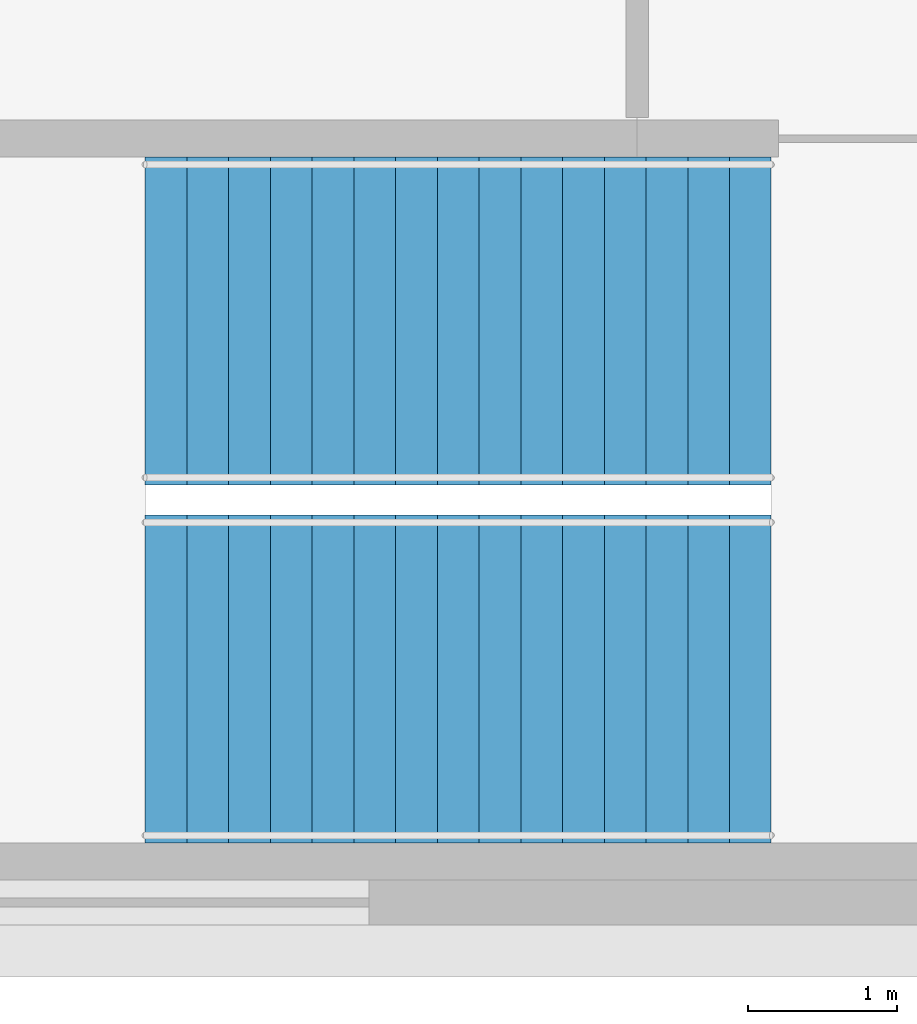
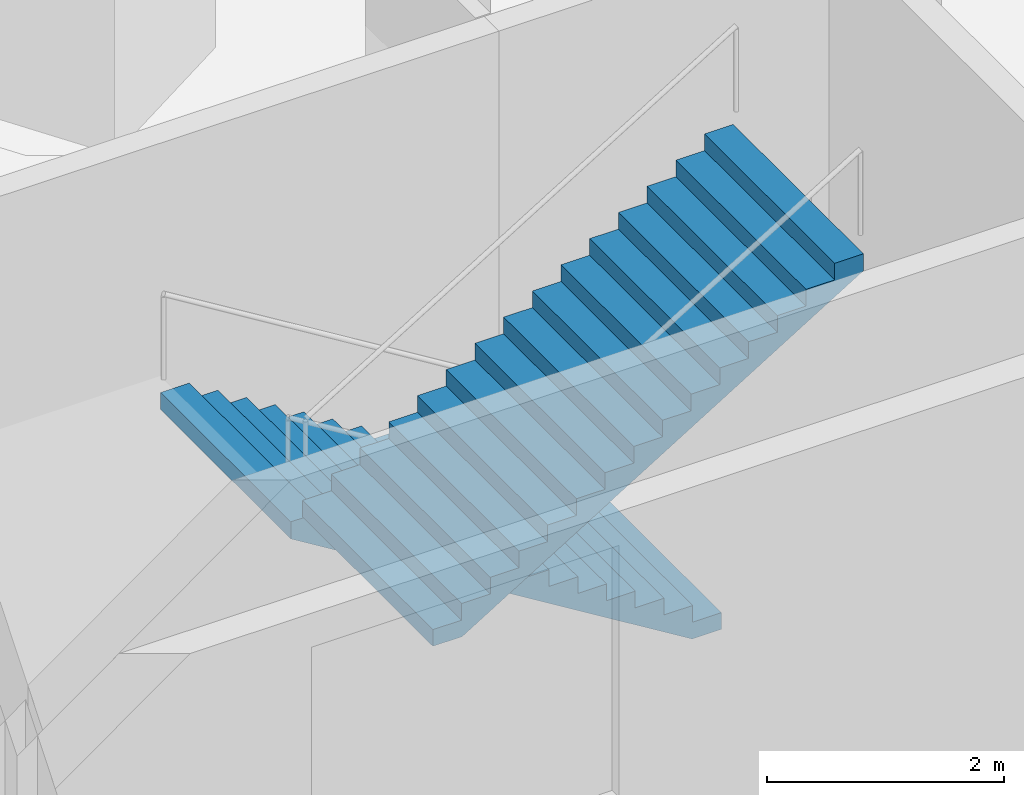
# One storey, part 11 of 16: 2 stair flights, 1 element without a shape of its own.
"""IFC4 building model written with IfcOpenShell, lengths in metres."""

from ifc_helpers import new_model, si_unit, direction, frame, origin, place, context, subcontext, project, spatial, triangles, source, transform, mapped, material, type_object, element, aggregate, save


model = new_model("IFC4")

# Units and contexts
model_context = context("Model", 3, precision=1e-05, world=origin(), true_north=direction((0.0, 1.0)))
body_context = subcontext(model_context, "Body", "Model", "MODEL_VIEW")
ifc_project = project(units=[si_unit("LENGTHUNIT", "METRE"), si_unit("AREAUNIT", "SQUARE_METRE"), si_unit("VOLUMEUNIT", "CUBIC_METRE"), si_unit("PLANEANGLEUNIT", "RADIAN"), si_unit("MASSUNIT", "GRAM", prefix="KILO")], contexts=[model_context])

# Site, building, storey
site_placement = place(None, origin())
site = spatial("IfcSite", under=ifc_project, at=site_placement, CompositionType="ELEMENT")
building_placement = place(site_placement, origin())
building = spatial("IfcBuilding", under=site, at=building_placement, Name="Vanh Sen Convention Tower", CompositionType="ELEMENT")
storey_placement = place(building_placement, frame((0.0, 0.0, 29.0)))
storey = spatial("IfcBuildingStorey", under=building, at=storey_placement, Name="L04", CompositionType="ELEMENT", Elevation=29.0)

# Stair, stair flights
ifc_material = material(Name="Concrete C40/50", Category="concrete")
stair_type = type_object("IfcStairType", Name="Podium exit stair 2200", PredefinedType="HALF_TURN_STAIR", material=ifc_material)
stair_placement = place(storey_placement, origin())
stair = element("IfcStair", 1, at=stair_placement, inside=storey, type_object=stair_type, Name="Exit stair PS6 L04", PredefinedType="HALF_TURN_STAIR")
stair_flight_type = type_object("IfcStairFlightType", Name="Podium exit stair flight 2200", PredefinedType="STRAIGHT", material=ifc_material)
shared_shape = source(origin(), body_context, "Body", "Tessellation", [
    triangles([(0.28662109375, 1.10009765625, 0.0), (0.0, 1.10009765625, 0.0), (0.0, 1.10009765625, 0.171875), (0.280029296875, 1.10009765625, 0.171875), (0.280029296875, 1.10009765625, 0.34375), (0.56005859375, 1.10009765625, 0.34375), (0.56005859375, 1.10009765625, 0.515625), (0.840087890625, 1.10009765625, 0.515625), (0.840087890625, 1.10009765625, 0.6875), (1.1201171875, 1.10009765625, 0.6875), (1.1201171875, 1.10009765625, 0.859375), (1.39990234375, 1.10009765625, 0.859375), (1.39990234375, 1.10009765625, 1.03125), (1.679931640625, 1.10009765625, 1.03125), (1.679931640625, 1.10009765625, 1.203125), (1.9599609375, 1.10009765625, 1.203125), (1.9599609375, 1.10009765625, 1.375), (2.239990234375, 1.10009765625, 1.375), (2.239990234375, 1.10009765625, 1.546875), (2.52001953125, 1.10009765625, 1.546875), (2.52001953125, 1.10009765625, 1.71875), (2.800048828125, 1.10009765625, 1.71875), (2.800048828125, 1.10009765625, 1.890625), (3.080078125, 1.10009765625, 1.890625), (3.080078125, 1.10009765625, 2.0625), (3.360107421875, 1.10009765625, 2.0625), (3.360107421875, 1.10009765625, 2.234375), (3.639892578125, 1.10009765625, 2.234375), (3.639892578125, 1.10009765625, 2.40625), (3.919921875, 1.10009765625, 2.40625), (3.919921875, 1.10009765625, 2.578125), (4.199951171875, 1.10009765625, 2.578125), (4.199951171875, 1.10009765625, 2.40234375), (0.28662109375, -1.10009765625, 0.0), (0.0, -1.10009765625, 0.0), (0.0, -1.10009765625, 0.171875), (0.280029296875, -1.10009765625, 0.171875), (0.280029296875, -1.10009765625, 0.34375), (0.56005859375, -1.10009765625, 0.34375), (0.56005859375, -1.10009765625, 0.515625), (0.840087890625, -1.10009765625, 0.515625), (0.840087890625, -1.10009765625, 0.6875), (1.1201171875, -1.10009765625, 0.6875), (1.1201171875, -1.10009765625, 0.859375), (1.39990234375, -1.10009765625, 0.859375), (1.39990234375, -1.10009765625, 1.03125), (1.679931640625, -1.10009765625, 1.03125), (1.679931640625, -1.10009765625, 1.203125), (1.9599609375, -1.10009765625, 1.203125), (1.9599609375, -1.10009765625, 1.375), (2.239990234375, -1.10009765625, 1.375), (2.239990234375, -1.10009765625, 1.546875), (2.52001953125, -1.10009765625, 1.546875), (2.52001953125, -1.10009765625, 1.71875), (2.800048828125, -1.10009765625, 1.71875), (2.800048828125, -1.10009765625, 1.890625), (3.080078125, -1.10009765625, 1.890625), (3.080078125, -1.10009765625, 2.0625), (3.360107421875, -1.10009765625, 2.0625), (3.360107421875, -1.10009765625, 2.234375), (3.639892578125, -1.10009765625, 2.234375), (3.639892578125, -1.10009765625, 2.40625), (3.919921875, -1.10009765625, 2.40625), (3.919921875, -1.10009765625, 2.578125), (4.199951171875, -1.10009765625, 2.578125), (4.199951171875, -1.10009765625, 2.40234375), (0.0, 0.0439453125, 0.0), (0.0, 0.04296875, 0.0), (0.0, 0.0419921875, 0.0), (0.0, 0.04052734375, 0.0), (0.0, 0.03955078125, 0.0), (0.0, 0.03857421875, 0.0), (0.0, 0.03759765625, 0.0), (0.0, 0.0361328125, 0.0), (0.0, 0.03515625, 0.0), (0.0, 0.0341796875, 0.0), (0.0, 0.033203125, 0.0), (0.0, 0.03173828125, 0.0), (0.0, 0.03076171875, 0.0), (0.0, 0.02978515625, 0.0), (0.0, 0.02880859375, 0.0), (0.0, 0.02734375, 0.0), (0.0, 0.0263671875, 0.0), (0.0, 0.025390625, 0.0), (0.0, 0.0244140625, 0.0), (0.0, 0.02294921875, 0.0), (0.0, 0.02197265625, 0.0), (0.0, 0.02099609375, 0.0), (0.0, 0.02001953125, 0.0), (0.0, 0.0185546875, 0.0), (0.0, 0.017578125, 0.0), (0.0, 0.0166015625, 0.0), (0.0, 0.015625, 0.0), (0.0, 0.01416015625, 0.0), (0.0, 0.01318359375, 0.0), (0.0, 0.01220703125, 0.0), (0.0, 0.01123046875, 0.0), (0.0, 0.009765625, 0.0), (0.0, 0.0087890625, 0.0), (0.0, 0.0078125, 0.0), (0.0, 0.0068359375, 0.0), (0.0, 0.00537109375, 0.0), (0.0, 0.00439453125, 0.0), (0.0, 0.00341796875, 0.0), (0.0, 0.00244140625, 0.0), (0.0, 0.0009765625, 0.0), (0.0, 0.0, 0.0), (0.0, -0.0009765625, 0.0), (0.0, -0.00244140625, 0.0), (0.0, -0.00341796875, 0.0), (0.0, -0.00439453125, 0.0), (0.0, -0.00537109375, 0.0), (0.0, -0.0068359375, 0.0), (0.0, -0.0078125, 0.0), (0.0, -0.0087890625, 0.0), (0.0, -0.009765625, 0.0), (0.0, -0.01123046875, 0.0), (0.0, -0.01220703125, 0.0), (0.0, -0.01318359375, 0.0), (0.0, -0.01416015625, 0.0), (0.0, -0.015625, 0.0), (0.0, -0.0166015625, 0.0), (0.0, -0.017578125, 0.0), (0.0, -0.0185546875, 0.0), (0.0, -0.02001953125, 0.0), (0.0, -0.02099609375, 0.0), (0.0, -0.02197265625, 0.0), (0.0, -0.02294921875, 0.0), (0.0, -0.0244140625, 0.0), (0.0, -0.025390625, 0.0), (0.0, -0.0263671875, 0.0), (0.0, -0.02734375, 0.0), (0.0, -0.02880859375, 0.0), (0.0, -0.02978515625, 0.0), (0.0, -0.03076171875, 0.0), (0.0, -0.03173828125, 0.0), (0.0, -0.033203125, 0.0), (0.0, -0.0341796875, 0.0), (0.0, -0.03515625, 0.0), (0.0, -0.0361328125, 0.0), (0.0, -0.03759765625, 0.0), (0.0, -0.03857421875, 0.0), (0.0, -0.03955078125, 0.0), (0.0, -0.04052734375, 0.0), (0.0, -0.0419921875, 0.0), (0.0, -0.04296875, 0.0), (0.0, -0.0439453125, 0.0), (0.0, 0.0439453125, 0.171875), (0.0, 0.04296875, 0.171875), (0.0, 0.0419921875, 0.171875), (0.0, 0.04052734375, 0.171875), (0.0, 0.03955078125, 0.171875), (0.0, 0.03857421875, 0.171875), (0.0, 0.03759765625, 0.171875), (0.0, 0.0361328125, 0.171875), (0.0, 0.03515625, 0.171875), (0.0, 0.0341796875, 0.171875), (0.0, 0.033203125, 0.171875), (0.0, 0.03173828125, 0.171875), (0.0, 0.03076171875, 0.171875), (0.0, 0.02978515625, 0.171875), (0.0, 0.02880859375, 0.171875), (0.0, 0.02734375, 0.171875), (0.0, 0.0263671875, 0.171875), (0.0, 0.025390625, 0.171875), (0.0, 0.0244140625, 0.171875), (0.0, 0.02294921875, 0.171875), (0.0, 0.02197265625, 0.171875), (0.0, 0.02099609375, 0.171875), (0.0, 0.02001953125, 0.171875), (0.0, 0.0185546875, 0.171875), (0.0, 0.017578125, 0.171875), (0.0, 0.0166015625, 0.171875), (0.0, 0.015625, 0.171875), (0.0, 0.01416015625, 0.171875), (0.0, 0.01318359375, 0.171875), (0.0, 0.01220703125, 0.171875), (0.0, 0.01123046875, 0.171875), (0.0, 0.009765625, 0.171875), (0.0, 0.0087890625, 0.171875), (0.0, 0.0078125, 0.171875), (0.0, 0.0068359375, 0.171875), (0.0, 0.00537109375, 0.171875), (0.0, 0.00439453125, 0.171875), (0.0, 0.00341796875, 0.171875), (0.0, 0.00244140625, 0.171875), (0.0, 0.0009765625, 0.171875), (0.0, 0.0, 0.171875), (0.0, -0.0009765625, 0.171875), (0.0, -0.00244140625, 0.171875), (0.0, -0.00341796875, 0.171875), (0.0, -0.00439453125, 0.171875), (0.0, -0.00537109375, 0.171875), (0.0, -0.0068359375, 0.171875), (0.0, -0.0078125, 0.171875), (0.0, -0.0087890625, 0.171875), (0.0, -0.009765625, 0.171875), (0.0, -0.01123046875, 0.171875), (0.0, -0.01220703125, 0.171875), (0.0, -0.01318359375, 0.171875), (0.0, -0.01416015625, 0.171875), (0.0, -0.015625, 0.171875), (0.0, -0.0166015625, 0.171875), (0.0, -0.017578125, 0.171875), (0.0, -0.0185546875, 0.171875), (0.0, -0.02001953125, 0.171875), (0.0, -0.02099609375, 0.171875), (0.0, -0.02197265625, 0.171875), (0.0, -0.02294921875, 0.171875), (0.0, -0.0244140625, 0.171875), (0.0, -0.025390625, 0.171875), (0.0, -0.0263671875, 0.171875), (0.0, -0.02734375, 0.171875), (0.0, -0.02880859375, 0.171875), (0.0, -0.02978515625, 0.171875), (0.0, -0.03076171875, 0.171875), (0.0, -0.03173828125, 0.171875), (0.0, -0.033203125, 0.171875), (0.0, -0.0341796875, 0.171875), (0.0, -0.03515625, 0.171875), (0.0, -0.0361328125, 0.171875), (0.0, -0.03759765625, 0.171875), (0.0, -0.03857421875, 0.171875), (0.0, -0.03955078125, 0.171875), (0.0, -0.04052734375, 0.171875), (0.0, -0.0419921875, 0.171875), (0.0, -0.04296875, 0.171875), (0.0, -0.0439453125, 0.171875), (0.280029296875, 0.0, 0.171875), (0.280029296875, 0.0, 0.34375), (0.56005859375, 0.0, 0.34375), (0.56005859375, 0.0, 0.515625), (0.840087890625, 0.0, 0.515625), (0.840087890625, 0.0, 0.6875), (1.1201171875, 0.0, 0.6875), (1.1201171875, 0.0, 0.859375), (1.39990234375, 0.0, 0.859375), (1.39990234375, 0.0, 1.03125), (1.679931640625, 0.0, 1.03125), (1.679931640625, 0.0, 1.203125), (1.9599609375, 0.0, 1.203125), (1.9599609375, 0.0, 1.375), (2.239990234375, 0.0, 1.375), (2.239990234375, 0.0, 1.546875), (2.52001953125, 0.0, 1.546875), (2.52001953125, 0.0, 1.71875), (2.800048828125, 0.0, 1.71875), (2.800048828125, 0.0, 1.890625), (3.080078125, 0.0, 1.890625), (3.080078125, 0.0, 2.0625), (3.360107421875, 0.0, 2.0625), (3.360107421875, 0.0, 2.234375), (3.639892578125, 0.0, 2.234375), (3.639892578125, 0.0, 2.40625), (3.919921875, 0.0, 2.40625), (3.919921875, 0.0, 2.578125), (4.199951171875, 0.0439453125, 2.578125), (4.199951171875, 0.04296875, 2.578125), (4.199951171875, 0.0419921875, 2.578125), (4.199951171875, 0.04052734375, 2.578125), (4.199951171875, 0.03955078125, 2.578125), (4.199951171875, 0.03857421875, 2.578125), (4.199951171875, 0.03759765625, 2.578125), (4.199951171875, 0.0361328125, 2.578125), (4.199951171875, 0.03515625, 2.578125), (4.199951171875, 0.0341796875, 2.578125), (4.199951171875, 0.033203125, 2.578125), (4.199951171875, 0.03173828125, 2.578125), (4.199951171875, 0.03076171875, 2.578125), (4.199951171875, 0.02978515625, 2.578125), (4.199951171875, 0.02880859375, 2.578125), (4.199951171875, 0.02734375, 2.578125), (4.199951171875, 0.0263671875, 2.578125), (4.199951171875, 0.025390625, 2.578125), (4.199951171875, 0.0244140625, 2.578125), (4.199951171875, 0.02294921875, 2.578125), (4.199951171875, 0.02197265625, 2.578125), (4.199951171875, 0.02099609375, 2.578125), (4.199951171875, 0.02001953125, 2.578125), (4.199951171875, 0.0185546875, 2.578125), (4.199951171875, 0.017578125, 2.578125), (4.199951171875, 0.0166015625, 2.578125), (4.199951171875, 0.015625, 2.578125), (4.199951171875, 0.01416015625, 2.578125), (4.199951171875, 0.01318359375, 2.578125), (4.199951171875, 0.01220703125, 2.578125), (4.199951171875, 0.01123046875, 2.578125), (4.199951171875, 0.009765625, 2.578125), (4.199951171875, 0.0087890625, 2.578125), (4.199951171875, 0.0078125, 2.578125), (4.199951171875, 0.0068359375, 2.578125), (4.199951171875, 0.00537109375, 2.578125), (4.199951171875, 0.00439453125, 2.578125), (4.199951171875, 0.00341796875, 2.578125), (4.199951171875, 0.00244140625, 2.578125), (4.199951171875, 0.0009765625, 2.578125), (4.199951171875, 0.0, 2.578125), (4.199951171875, -0.0009765625, 2.578125), (4.199951171875, -0.00244140625, 2.578125), (4.199951171875, -0.00341796875, 2.578125), (4.199951171875, -0.00439453125, 2.578125), (4.199951171875, -0.00537109375, 2.578125), (4.199951171875, -0.0068359375, 2.578125), (4.199951171875, -0.0078125, 2.578125), (4.199951171875, -0.0087890625, 2.578125), (4.199951171875, -0.009765625, 2.578125), (4.199951171875, -0.01123046875, 2.578125), (4.199951171875, -0.01220703125, 2.578125), (4.199951171875, -0.01318359375, 2.578125), (4.199951171875, -0.01416015625, 2.578125), (4.199951171875, -0.015625, 2.578125), (4.199951171875, -0.0166015625, 2.578125), (4.199951171875, -0.017578125, 2.578125), (4.199951171875, -0.0185546875, 2.578125), (4.199951171875, -0.02001953125, 2.578125), (4.199951171875, -0.02099609375, 2.578125), (4.199951171875, -0.02197265625, 2.578125), (4.199951171875, -0.02294921875, 2.578125), (4.199951171875, -0.0244140625, 2.578125), (4.199951171875, -0.025390625, 2.578125), (4.199951171875, -0.0263671875, 2.578125), (4.199951171875, -0.02734375, 2.578125), (4.199951171875, -0.02880859375, 2.578125), (4.199951171875, -0.02978515625, 2.578125), (4.199951171875, -0.03076171875, 2.578125), (4.199951171875, -0.03173828125, 2.578125), (4.199951171875, -0.033203125, 2.578125), (4.199951171875, -0.0341796875, 2.578125), (4.199951171875, -0.03515625, 2.578125), (4.199951171875, -0.0361328125, 2.578125), (4.199951171875, -0.03759765625, 2.578125), (4.199951171875, -0.03857421875, 2.578125), (4.199951171875, -0.03955078125, 2.578125), (4.199951171875, -0.04052734375, 2.578125), (4.199951171875, -0.0419921875, 2.578125), (4.199951171875, -0.04296875, 2.578125), (4.199951171875, -0.0439453125, 2.578125), (4.199951171875, 0.0439453125, 2.40234375), (4.199951171875, 0.04296875, 2.40234375), (4.199951171875, 0.0419921875, 2.40234375), (4.199951171875, 0.04052734375, 2.40234375), (4.199951171875, 0.03955078125, 2.40234375), (4.199951171875, 0.03857421875, 2.40234375), (4.199951171875, 0.03759765625, 2.40234375), (4.199951171875, 0.0361328125, 2.40234375), (4.199951171875, 0.03515625, 2.40234375), (4.199951171875, 0.0341796875, 2.40234375), (4.199951171875, 0.033203125, 2.40234375), (4.199951171875, 0.03173828125, 2.40234375), (4.199951171875, 0.03076171875, 2.40234375), (4.199951171875, 0.02978515625, 2.40234375), (4.199951171875, 0.02880859375, 2.40234375), (4.199951171875, 0.02734375, 2.40234375), (4.199951171875, 0.0263671875, 2.40234375), (4.199951171875, 0.025390625, 2.40234375), (4.199951171875, 0.0244140625, 2.40234375), (4.199951171875, 0.02294921875, 2.40234375), (4.199951171875, 0.02197265625, 2.40234375), (4.199951171875, 0.02099609375, 2.40234375), (4.199951171875, 0.02001953125, 2.40234375), (4.199951171875, 0.0185546875, 2.40234375), (4.199951171875, 0.017578125, 2.40234375), (4.199951171875, 0.0166015625, 2.40234375), (4.199951171875, 0.015625, 2.40234375), (4.199951171875, 0.01416015625, 2.40234375), (4.199951171875, 0.01318359375, 2.40234375), (4.199951171875, 0.01220703125, 2.40234375), (4.199951171875, 0.01123046875, 2.40234375), (4.199951171875, 0.009765625, 2.40234375), (4.199951171875, 0.0087890625, 2.40234375), (4.199951171875, 0.0078125, 2.40234375), (4.199951171875, 0.0068359375, 2.40234375), (4.199951171875, 0.00537109375, 2.40234375), (4.199951171875, 0.00439453125, 2.40234375), (4.199951171875, 0.00341796875, 2.40234375), (4.199951171875, 0.00244140625, 2.40234375), (4.199951171875, 0.0009765625, 2.40234375), (4.199951171875, 0.0, 2.40234375), (4.199951171875, -0.0009765625, 2.40234375), (4.199951171875, -0.00244140625, 2.40234375), (4.199951171875, -0.00341796875, 2.40234375), (4.199951171875, -0.00439453125, 2.40234375), (4.199951171875, -0.00537109375, 2.40234375), (4.199951171875, -0.0068359375, 2.40234375), (4.199951171875, -0.0078125, 2.40234375), (4.199951171875, -0.0087890625, 2.40234375), (4.199951171875, -0.009765625, 2.40234375), (4.199951171875, -0.01123046875, 2.40234375), (4.199951171875, -0.01220703125, 2.40234375), (4.199951171875, -0.01318359375, 2.40234375), (4.199951171875, -0.01416015625, 2.40234375), (4.199951171875, -0.015625, 2.40234375), (4.199951171875, -0.0166015625, 2.40234375), (4.199951171875, -0.017578125, 2.40234375), (4.199951171875, -0.0185546875, 2.40234375), (4.199951171875, -0.02001953125, 2.40234375), (4.199951171875, -0.02099609375, 2.40234375), (4.199951171875, -0.02197265625, 2.40234375), (4.199951171875, -0.02294921875, 2.40234375), (4.199951171875, -0.0244140625, 2.40234375), (4.199951171875, -0.025390625, 2.40234375), (4.199951171875, -0.0263671875, 2.40234375), (4.199951171875, -0.02734375, 2.40234375), (4.199951171875, -0.02880859375, 2.40234375), (4.199951171875, -0.02978515625, 2.40234375), (4.199951171875, -0.03076171875, 2.40234375), (4.199951171875, -0.03173828125, 2.40234375), (4.199951171875, -0.033203125, 2.40234375), (4.199951171875, -0.0341796875, 2.40234375), (4.199951171875, -0.03515625, 2.40234375), (4.199951171875, -0.0361328125, 2.40234375), (4.199951171875, -0.03759765625, 2.40234375), (4.199951171875, -0.03857421875, 2.40234375), (4.199951171875, -0.03955078125, 2.40234375), (4.199951171875, -0.04052734375, 2.40234375), (4.199951171875, -0.0419921875, 2.40234375), (4.199951171875, -0.04296875, 2.40234375), (4.199951171875, -0.0439453125, 2.40234375), (0.28662109375, 0.0, 0.0)], [[1, 2, 3], [1, 3, 4], [1, 4, 5], [1, 5, 6], [6, 7, 8], [1, 6, 8], [8, 9, 10], [1, 8, 10], [10, 11, 12], [1, 10, 12], [12, 13, 14], [1, 12, 14], [14, 15, 16], [1, 14, 16], [16, 17, 18], [1, 16, 18], [18, 19, 20], [1, 18, 20], [20, 21, 22], [1, 20, 22], [22, 23, 24], [1, 22, 24], [24, 25, 26], [1, 24, 26], [26, 27, 28], [1, 26, 28], [28, 29, 30], [1, 28, 30], [30, 31, 32], [1, 30, 32], [32, 33, 1], [34, 36, 35], [34, 37, 36], [34, 38, 37], [34, 39, 38], [39, 41, 40], [34, 41, 39], [41, 43, 42], [34, 43, 41], [43, 45, 44], [34, 45, 43], [45, 47, 46], [34, 47, 45], [47, 49, 48], [34, 49, 47], [49, 51, 50], [34, 51, 49], [51, 53, 52], [34, 53, 51], [53, 55, 54], [34, 55, 53], [55, 57, 56], [34, 57, 55], [57, 59, 58], [34, 59, 57], [59, 61, 60], [34, 61, 59], [61, 63, 62], [34, 63, 61], [63, 65, 64], [34, 65, 63], [65, 34, 66], [2, 148, 3], [2, 67, 148], [67, 149, 148], [67, 68, 149], [68, 150, 149], [68, 69, 150], [69, 151, 150], [69, 70, 151], [70, 152, 151], [70, 71, 152], [71, 153, 152], [71, 72, 153], [72, 154, 153], [72, 73, 154], [73, 155, 154], [73, 74, 155], [74, 156, 155], [74, 75, 156], [75, 157, 156], [75, 76, 157], [76, 158, 157], [76, 77, 158], [77, 159, 158], [77, 78, 159], [78, 160, 159], [78, 79, 160], [79, 161, 160], [79, 80, 161], [80, 162, 161], [80, 81, 162], [81, 163, 162], [81, 82, 163], [82, 164, 163], [82, 83, 164], [83, 165, 164], [83, 84, 165], [84, 166, 165], [84, 85, 166], [85, 167, 166], [85, 86, 167], [86, 168, 167], [86, 87, 168], [87, 169, 168], [87, 88, 169], [88, 170, 169], [88, 89, 170], [89, 171, 170], [89, 90, 171], [90, 172, 171], [90, 91, 172], [91, 173, 172], [91, 92, 173], [92, 174, 173], [92, 93, 174], [93, 175, 174], [93, 94, 175], [94, 176, 175], [94, 95, 176], [95, 177, 176], [95, 96, 177], [96, 178, 177], [96, 97, 178], [97, 179, 178], [97, 98, 179], [98, 180, 179], [98, 99, 180], [99, 181, 180], [99, 100, 181], [100, 182, 181], [100, 101, 182], [101, 183, 182], [101, 102, 183], [102, 184, 183], [102, 103, 184], [103, 185, 184], [103, 104, 185], [104, 186, 185], [104, 105, 186], [105, 187, 186], [105, 106, 187], [106, 188, 187], [106, 107, 188], [107, 108, 188], [188, 108, 189], [108, 109, 189], [189, 109, 190], [109, 110, 190], [190, 110, 191], [110, 111, 191], [191, 111, 192], [111, 112, 192], [192, 112, 193], [112, 113, 193], [193, 113, 194], [113, 114, 194], [194, 114, 195], [114, 115, 195], [195, 115, 196], [115, 116, 196], [196, 116, 197], [116, 117, 197], [197, 117, 198], [117, 118, 198], [198, 118, 199], [118, 119, 199], [199, 119, 200], [119, 120, 200], [200, 120, 201], [120, 121, 201], [201, 121, 202], [121, 122, 202], [202, 122, 203], [122, 123, 203], [203, 123, 204], [123, 124, 204], [204, 124, 205], [124, 125, 205], [205, 125, 206], [125, 126, 206], [206, 126, 207], [126, 127, 207], [207, 127, 208], [127, 128, 208], [208, 128, 209], [128, 129, 209], [209, 129, 210], [129, 130, 210], [210, 130, 211], [130, 131, 211], [211, 131, 212], [131, 132, 212], [212, 132, 213], [132, 133, 213], [213, 133, 214], [133, 134, 214], [214, 134, 215], [134, 135, 215], [215, 135, 216], [135, 136, 216], [216, 136, 217], [136, 137, 217], [217, 137, 218], [137, 138, 218], [218, 138, 219], [138, 139, 219], [219, 139, 220], [139, 140, 220], [220, 140, 221], [140, 141, 221], [221, 141, 222], [141, 142, 222], [222, 142, 223], [142, 143, 223], [223, 143, 224], [143, 144, 224], [224, 144, 225], [144, 145, 225], [225, 145, 226], [145, 146, 226], [226, 146, 227], [146, 147, 227], [227, 147, 228], [147, 35, 228], [228, 35, 36], [4, 3, 148], [4, 148, 149], [4, 149, 150], [4, 150, 151], [4, 151, 152], [4, 152, 153], [4, 153, 154], [4, 154, 155], [4, 155, 156], [4, 156, 157], [4, 157, 158], [4, 158, 159], [4, 159, 160], [4, 160, 161], [4, 161, 162], [4, 162, 163], [4, 163, 164], [4, 164, 165], [4, 165, 166], [4, 166, 167], [4, 167, 168], [4, 168, 169], [4, 169, 170], [4, 170, 171], [4, 171, 172], [4, 172, 173], [4, 173, 174], [4, 174, 175], [4, 175, 176], [4, 176, 177], [4, 177, 178], [4, 178, 179], [4, 179, 180], [4, 180, 181], [4, 181, 182], [4, 182, 183], [4, 183, 184], [4, 184, 185], [4, 185, 186], [4, 186, 187], [4, 187, 188], [37, 188, 189], [37, 189, 190], [37, 190, 191], [37, 191, 192], [37, 192, 193], [37, 193, 194], [37, 194, 195], [37, 195, 196], [37, 196, 197], [37, 197, 198], [37, 198, 199], [37, 199, 200], [37, 200, 201], [37, 201, 202], [37, 202, 203], [37, 203, 204], [37, 204, 205], [37, 205, 206], [37, 206, 207], [37, 207, 208], [37, 208, 209], [37, 209, 210], [37, 210, 211], [37, 211, 212], [37, 212, 213], [37, 213, 214], [37, 214, 215], [37, 215, 216], [37, 216, 217], [37, 217, 218], [37, 218, 219], [37, 219, 220], [37, 220, 221], [37, 221, 222], [37, 222, 223], [37, 223, 224], [37, 224, 225], [37, 225, 226], [37, 226, 227], [37, 227, 228], [37, 228, 36], [4, 188, 229], [37, 229, 188], [4, 230, 5], [4, 229, 230], [229, 37, 230], [230, 37, 38], [5, 231, 6], [5, 230, 231], [230, 38, 231], [231, 38, 39], [6, 232, 7], [6, 231, 232], [231, 39, 232], [232, 39, 40], [7, 233, 8], [7, 232, 233], [232, 40, 233], [233, 40, 41], [8, 234, 9], [8, 233, 234], [233, 41, 234], [234, 41, 42], [9, 235, 10], [9, 234, 235], [234, 42, 235], [235, 42, 43], [10, 236, 11], [10, 235, 236], [235, 43, 236], [236, 43, 44], [11, 237, 12], [11, 236, 237], [236, 44, 237], [237, 44, 45], [12, 238, 13], [12, 237, 238], [237, 45, 238], [238, 45, 46], [13, 239, 14], [13, 238, 239], [238, 46, 239], [239, 46, 47], [14, 240, 15], [14, 239, 240], [239, 47, 240], [240, 47, 48], [15, 241, 16], [15, 240, 241], [240, 48, 241], [241, 48, 49], [16, 242, 17], [16, 241, 242], [241, 49, 242], [242, 49, 50], [17, 243, 18], [17, 242, 243], [242, 50, 243], [243, 50, 51], [18, 244, 19], [18, 243, 244], [243, 51, 244], [244, 51, 52], [19, 245, 20], [19, 244, 245], [244, 52, 245], [245, 52, 53], [20, 246, 21], [20, 245, 246], [245, 53, 246], [246, 53, 54], [21, 247, 22], [21, 246, 247], [246, 54, 247], [247, 54, 55], [22, 248, 23], [22, 247, 248], [247, 55, 248], [248, 55, 56], [23, 249, 24], [23, 248, 249], [248, 56, 249], [249, 56, 57], [24, 250, 25], [24, 249, 250], [249, 57, 250], [250, 57, 58], [25, 251, 26], [25, 250, 251], [250, 58, 251], [251, 58, 59], [26, 252, 27], [26, 251, 252], [251, 59, 252], [252, 59, 60], [27, 253, 28], [27, 252, 253], [252, 60, 253], [253, 60, 61], [28, 254, 29], [28, 253, 254], [253, 61, 254], [254, 61, 62], [29, 255, 30], [29, 254, 255], [254, 62, 255], [255, 62, 63], [30, 256, 31], [30, 255, 256], [255, 63, 256], [256, 63, 64], [31, 257, 32], [31, 258, 257], [31, 259, 258], [31, 260, 259], [31, 261, 260], [31, 262, 261], [31, 263, 262], [31, 264, 263], [31, 265, 264], [31, 266, 265], [31, 267, 266], [31, 268, 267], [31, 269, 268], [31, 270, 269], [31, 271, 270], [31, 272, 271], [31, 273, 272], [31, 274, 273], [31, 275, 274], [31, 276, 275], [31, 277, 276], [31, 278, 277], [31, 279, 278], [31, 280, 279], [31, 281, 280], [31, 282, 281], [31, 283, 282], [31, 284, 283], [31, 285, 284], [31, 286, 285], [31, 287, 286], [31, 288, 287], [31, 289, 288], [31, 290, 289], [31, 291, 290], [31, 292, 291], [31, 293, 292], [31, 294, 293], [31, 295, 294], [31, 296, 295], [31, 297, 296], [64, 298, 297], [64, 299, 298], [64, 300, 299], [64, 301, 300], [64, 302, 301], [64, 303, 302], [64, 304, 303], [64, 305, 304], [64, 306, 305], [64, 307, 306], [64, 308, 307], [64, 309, 308], [64, 310, 309], [64, 311, 310], [64, 312, 311], [64, 313, 312], [64, 314, 313], [64, 315, 314], [64, 316, 315], [64, 317, 316], [64, 318, 317], [64, 319, 318], [64, 320, 319], [64, 321, 320], [64, 322, 321], [64, 323, 322], [64, 324, 323], [64, 325, 324], [64, 326, 325], [64, 327, 326], [64, 328, 327], [64, 329, 328], [64, 330, 329], [64, 331, 330], [64, 332, 331], [64, 333, 332], [64, 334, 333], [64, 335, 334], [64, 336, 335], [64, 337, 336], [64, 65, 337], [31, 256, 297], [64, 297, 256], [32, 338, 33], [32, 257, 338], [257, 339, 338], [257, 258, 339], [258, 340, 339], [258, 259, 340], [259, 341, 340], [259, 260, 341], [260, 342, 341], [260, 261, 342], [261, 343, 342], [261, 262, 343], [262, 344, 343], [262, 263, 344], [263, 345, 344], [263, 264, 345], [264, 346, 345], [264, 265, 346], [265, 347, 346], [265, 266, 347], [266, 348, 347], [266, 267, 348], [267, 349, 348], [267, 268, 349], [268, 350, 349], [268, 269, 350], [269, 351, 350], [269, 270, 351], [270, 352, 351], [270, 271, 352], [271, 353, 352], [271, 272, 353], [272, 354, 353], [272, 273, 354], [273, 355, 354], [273, 274, 355], [274, 356, 355], [274, 275, 356], [275, 357, 356], [275, 276, 357], [276, 358, 357], [276, 277, 358], [277, 359, 358], [277, 278, 359], [278, 360, 359], [278, 279, 360], [279, 361, 360], [279, 280, 361], [280, 362, 361], [280, 281, 362], [281, 363, 362], [281, 282, 363], [282, 364, 363], [282, 283, 364], [283, 365, 364], [283, 284, 365], [284, 366, 365], [284, 285, 366], [285, 367, 366], [285, 286, 367], [286, 368, 367], [286, 287, 368], [287, 369, 368], [287, 288, 369], [288, 370, 369], [288, 289, 370], [289, 371, 370], [289, 290, 371], [290, 372, 371], [290, 291, 372], [291, 373, 372], [291, 292, 373], [292, 374, 373], [292, 293, 374], [293, 375, 374], [293, 294, 375], [294, 376, 375], [294, 295, 376], [295, 377, 376], [295, 296, 377], [296, 378, 377], [296, 297, 378], [297, 298, 378], [378, 298, 379], [298, 299, 379], [379, 299, 380], [299, 300, 380], [380, 300, 381], [300, 301, 381], [381, 301, 382], [301, 302, 382], [382, 302, 383], [302, 303, 383], [383, 303, 384], [303, 304, 384], [384, 304, 385], [304, 305, 385], [385, 305, 386], [305, 306, 386], [386, 306, 387], [306, 307, 387], [387, 307, 388], [307, 308, 388], [388, 308, 389], [308, 309, 389], [389, 309, 390], [309, 310, 390], [390, 310, 391], [310, 311, 391], [391, 311, 392], [311, 312, 392], [392, 312, 393], [312, 313, 393], [393, 313, 394], [313, 314, 394], [394, 314, 395], [314, 315, 395], [395, 315, 396], [315, 316, 396], [396, 316, 397], [316, 317, 397], [397, 317, 398], [317, 318, 398], [398, 318, 399], [318, 319, 399], [399, 319, 400], [319, 320, 400], [400, 320, 401], [320, 321, 401], [401, 321, 402], [321, 322, 402], [402, 322, 403], [322, 323, 403], [403, 323, 404], [323, 324, 404], [404, 324, 405], [324, 325, 405], [405, 325, 406], [325, 326, 406], [406, 326, 407], [326, 327, 407], [407, 327, 408], [327, 328, 408], [408, 328, 409], [328, 329, 409], [409, 329, 410], [329, 330, 410], [410, 330, 411], [330, 331, 411], [411, 331, 412], [331, 332, 412], [412, 332, 413], [332, 333, 413], [413, 333, 414], [333, 334, 414], [414, 334, 415], [334, 335, 415], [415, 335, 416], [335, 336, 416], [416, 336, 417], [336, 337, 417], [417, 337, 418], [337, 65, 418], [418, 65, 66], [1, 33, 338], [1, 338, 339], [1, 339, 340], [1, 340, 341], [1, 341, 342], [1, 342, 343], [1, 343, 344], [1, 344, 345], [1, 345, 346], [1, 346, 347], [1, 347, 348], [1, 348, 349], [1, 349, 350], [1, 350, 351], [1, 351, 352], [1, 352, 353], [1, 353, 354], [1, 354, 355], [1, 355, 356], [1, 356, 357], [1, 357, 358], [1, 358, 359], [1, 359, 360], [1, 360, 361], [1, 361, 362], [1, 362, 363], [1, 363, 364], [1, 364, 365], [1, 365, 366], [1, 366, 367], [1, 367, 368], [1, 368, 369], [1, 369, 370], [1, 370, 371], [1, 371, 372], [1, 372, 373], [1, 373, 374], [1, 374, 375], [1, 375, 376], [1, 376, 377], [1, 377, 378], [34, 378, 379], [34, 379, 380], [34, 380, 381], [34, 381, 382], [34, 382, 383], [34, 383, 384], [34, 384, 385], [34, 385, 386], [34, 386, 387], [34, 387, 388], [34, 388, 389], [34, 389, 390], [34, 390, 391], [34, 391, 392], [34, 392, 393], [34, 393, 394], [34, 394, 395], [34, 395, 396], [34, 396, 397], [34, 397, 398], [34, 398, 399], [34, 399, 400], [34, 400, 401], [34, 401, 402], [34, 402, 403], [34, 403, 404], [34, 404, 405], [34, 405, 406], [34, 406, 407], [34, 407, 408], [34, 408, 409], [34, 409, 410], [34, 410, 411], [34, 411, 412], [34, 412, 413], [34, 413, 414], [34, 414, 415], [34, 415, 416], [34, 416, 417], [34, 417, 418], [34, 418, 66], [1, 378, 419], [34, 419, 378], [1, 67, 2], [1, 68, 67], [1, 69, 68], [1, 70, 69], [1, 71, 70], [1, 72, 71], [1, 73, 72], [1, 74, 73], [1, 75, 74], [1, 76, 75], [1, 77, 76], [1, 78, 77], [1, 79, 78], [1, 80, 79], [1, 81, 80], [1, 82, 81], [1, 83, 82], [1, 84, 83], [1, 85, 84], [1, 86, 85], [1, 87, 86], [1, 88, 87], [1, 89, 88], [1, 90, 89], [1, 91, 90], [1, 92, 91], [1, 93, 92], [1, 94, 93], [1, 95, 94], [1, 96, 95], [1, 97, 96], [1, 98, 97], [1, 99, 98], [1, 100, 99], [1, 101, 100], [1, 102, 101], [1, 103, 102], [1, 104, 103], [1, 105, 104], [1, 106, 105], [1, 107, 106], [34, 108, 107], [34, 109, 108], [34, 110, 109], [34, 111, 110], [34, 112, 111], [34, 113, 112], [34, 114, 113], [34, 115, 114], [34, 116, 115], [34, 117, 116], [34, 118, 117], [34, 119, 118], [34, 120, 119], [34, 121, 120], [34, 122, 121], [34, 123, 122], [34, 124, 123], [34, 125, 124], [34, 126, 125], [34, 127, 126], [34, 128, 127], [34, 129, 128], [34, 130, 129], [34, 131, 130], [34, 132, 131], [34, 133, 132], [34, 134, 133], [34, 135, 134], [34, 136, 135], [34, 137, 136], [34, 138, 137], [34, 139, 138], [34, 140, 139], [34, 141, 140], [34, 142, 141], [34, 143, 142], [34, 144, 143], [34, 145, 144], [34, 146, 145], [34, 147, 146], [34, 35, 147], [1, 419, 107], [34, 107, 419]], closed=True),
])
stair_flight_1_placement = place(storey_placement, frame((-18.300048828125, -22.949951171875, 0.0), z_axis=(0.0, 0.0, 1.0), x_axis=(-1.0, 0.0, 0.0)))
stair_flight_1 = element("IfcStairFlight", 2, at=stair_flight_1_placement, type_object=stair_flight_type, Name="PS6 flight 1", NumberOfRisers=16, NumberOfTreads=15, PredefinedType="STRAIGHT", RiserHeight=0.171875, TreadLength=0.28, context=body_context, shape_type="MappedRepresentation", body=[
    mapped(shared_shape, transform((0.0, 0.0, 0.0))),
])
stair_flight_2_placement = place(storey_placement, frame((-22.5, -25.35009765625, 2.75), z_axis=(0.0, 0.0, 1.0), x_axis=(1.0, 0.0, 0.0)))
stair_flight_2 = element("IfcStairFlight", 3, at=stair_flight_2_placement, type_object=stair_flight_type, Name="PS6 flight 2", NumberOfRisers=16, NumberOfTreads=15, PredefinedType="STRAIGHT", RiserHeight=0.171875, TreadLength=0.28, context=body_context, shape_type="MappedRepresentation", body=[
    mapped(shared_shape, transform((0.0, 0.0, 0.0))),
])
aggregate(stair, [stair_flight_1, stair_flight_2])

save(model, "model.ifc")
